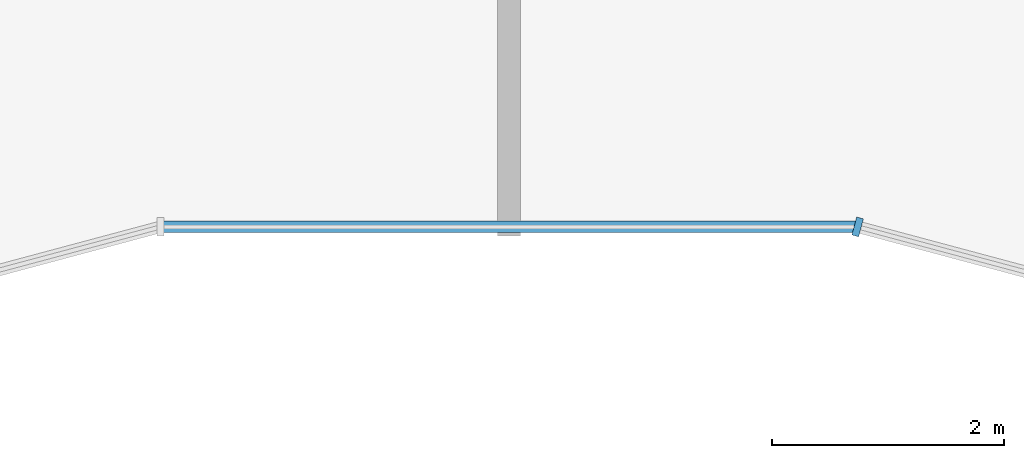
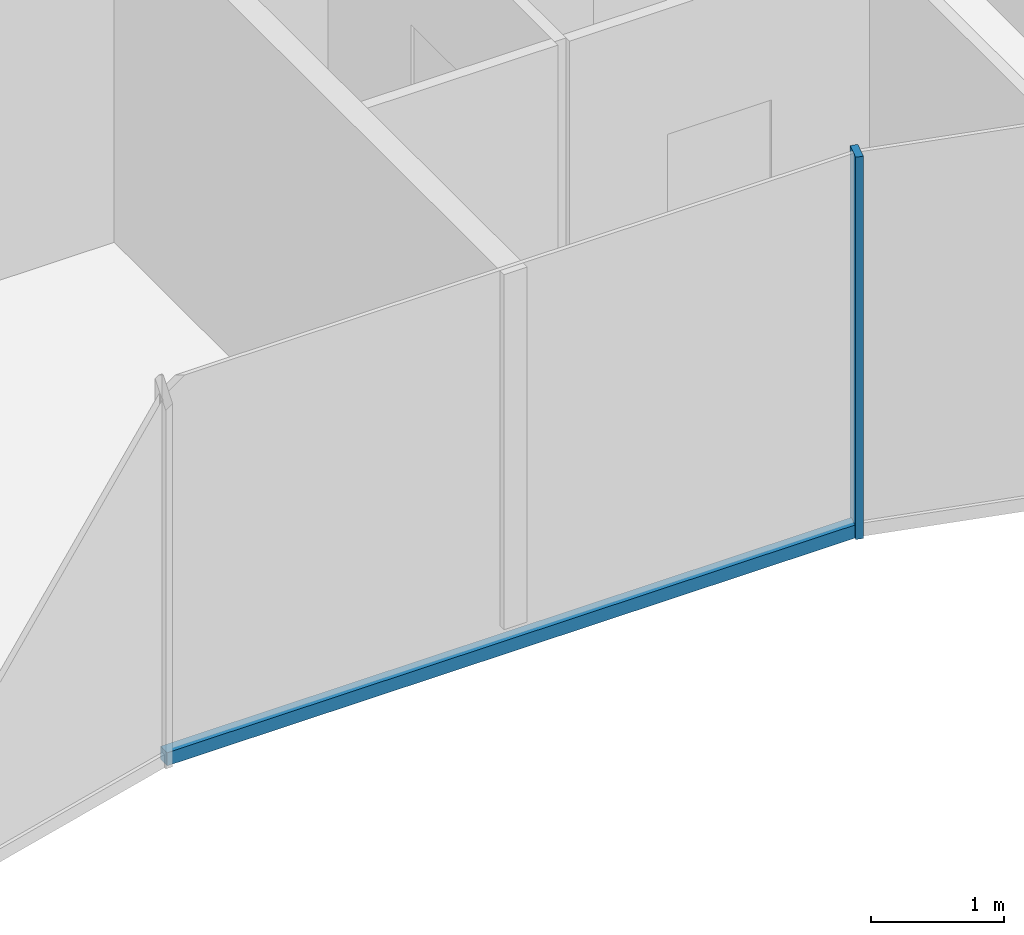
# One storey, part 3 of 10: 2 members, 2 elements without a shape of their own.
"""IFC4 building model written with IfcOpenShell, lengths in metres."""

from ifc_helpers import new_model, si_unit, direction, frame, origin, origin_2d, place, context, subcontext, project, spatial, rectangle, extrude, material, layer, layer_set, material_profile, profile_set, type_object, element, aggregate, save


model = new_model("IFC4")

# Units and contexts
model_context = context("Model", 3, precision=1e-05, world=origin(), true_north=direction((0.0, 1.0)))
body_context = subcontext(model_context, "Body", "Model", "MODEL_VIEW")
ifc_project = project(units=[si_unit("LENGTHUNIT", "METRE"), si_unit("AREAUNIT", "SQUARE_METRE"), si_unit("VOLUMEUNIT", "CUBIC_METRE"), si_unit("PLANEANGLEUNIT", "RADIAN"), si_unit("MASSUNIT", "GRAM", prefix="KILO")], contexts=[model_context])

# Site, building, storey
site_placement = place(None, origin())
site = spatial("IfcSite", under=ifc_project, at=site_placement, CompositionType="ELEMENT")
building_placement = place(site_placement, origin())
building = spatial("IfcBuilding", under=site, at=building_placement, Name="Plateau Cross Towers", CompositionType="ELEMENT")
storey_placement = place(building_placement, frame((0.0, 0.0, 280.89990234375)))
storey = spatial("IfcBuildingStorey", under=building, at=storey_placement, Name="L74", CompositionType="ELEMENT", Elevation=280.89990234375)

# Curtain wall, member
ifc_material_1 = material(Name="Dark low-iron glass", Category="glass")
ifc_layer = layer(ifc_material_1, 0.260009765625)
ifc_layer_set = layer_set([ifc_layer], Name="Dark low-iron glass")
curtain_wall_type = type_object("IfcCurtainWallType", Name="Curtain wall fluted unitised CW-A", PredefinedType="NOTDEFINED", material=ifc_layer_set)
curtain_wall_1_placement = place(storey_placement, origin())
curtain_wall_1 = element("IfcCurtainWall", 1, at=curtain_wall_1_placement, inside=storey, type_object=curtain_wall_type, Name="ENV/A/L74/A300_16", PredefinedType="NOTDEFINED")
ifc_material_2 = material(Name="Black anodised aluminium", Category="aluminium")
ifc_material_profile_1 = material_profile(ifc_material_2, rectangle(XDim=0.06005859375, YDim=0.159912109375, at=origin_2d()), Name="MULLION 60x160")
ifc_profile_set_1 = profile_set([ifc_material_profile_1], Name="Black anodised aluminium")
member_type_1 = type_object("IfcMemberType", Name="Mullion 60x160 fluted unitised", PredefinedType="MULLION", material=ifc_profile_set_1)
member_1_placement = place(storey_placement, frame((30.0, 1.60693359375, -0.25), z_axis=(0.0, 0.0, 1.0), x_axis=(0.965957983404, -0.258699003279, 0.0)))
member_1 = element("IfcMember", 2, at=member_1_placement, type_object=member_type_1, Name="CW-A mullion 1", PredefinedType="MULLION", context=body_context, shape_type="SweptSolid", body=[
    extrude(rectangle(XDim=0.06005859375, YDim=0.159912109375, at=origin_2d()), origin(), (0.0, 0.0, 1.0), 3.5),
])
aggregate(curtain_wall_1, [member_1])

curtain_wall_2_placement = place(storey_placement, origin())
curtain_wall_2 = element("IfcCurtainWall", 3, at=curtain_wall_2_placement, inside=storey, type_object=curtain_wall_type, Name="ENV/A/L74/A240_16", PredefinedType="NOTDEFINED")
ifc_material_profile_2 = material_profile(ifc_material_2, rectangle(XDim=0.10009765625, YDim=0.1201171875, at=origin_2d()), Name="TRANSOM 100x120")
ifc_profile_set_2 = profile_set([ifc_material_profile_2], Name="Black anodised aluminium")
member_type_2 = type_object("IfcMemberType", Name="Transom 100x120 fluted unitised", PredefinedType="USERDEFINED", material=ifc_profile_set_2)
member_2_placement = place(storey_placement, frame((24.0, 1.60693359375, -0.18994140625), z_axis=(1.0, 0.0, 0.0), x_axis=(0.0, 1.0, 0.0)))
member_2 = element("IfcMember", 4, at=member_2_placement, type_object=member_type_2, Name="CW-A transom", ObjectType="TRANSOM", PredefinedType="USERDEFINED", context=body_context, shape_type="SweptSolid", body=[
    extrude(rectangle(XDim=0.10009765625, YDim=0.1201171875, at=origin_2d()), origin(), (0.0, 0.0, 1.0), 6.0),
])
aggregate(curtain_wall_2, [member_2])

save(model, "model.ifc")
